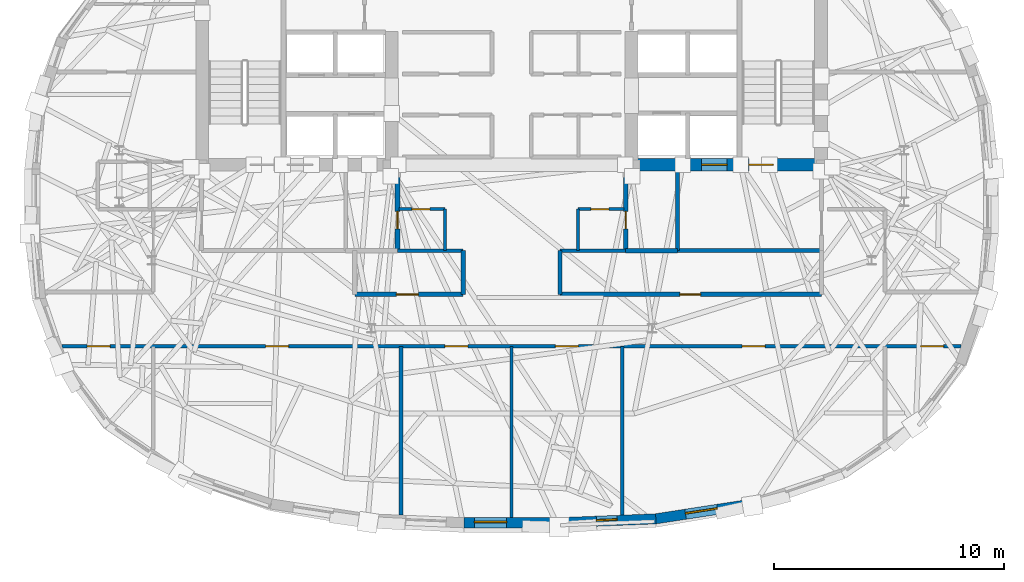
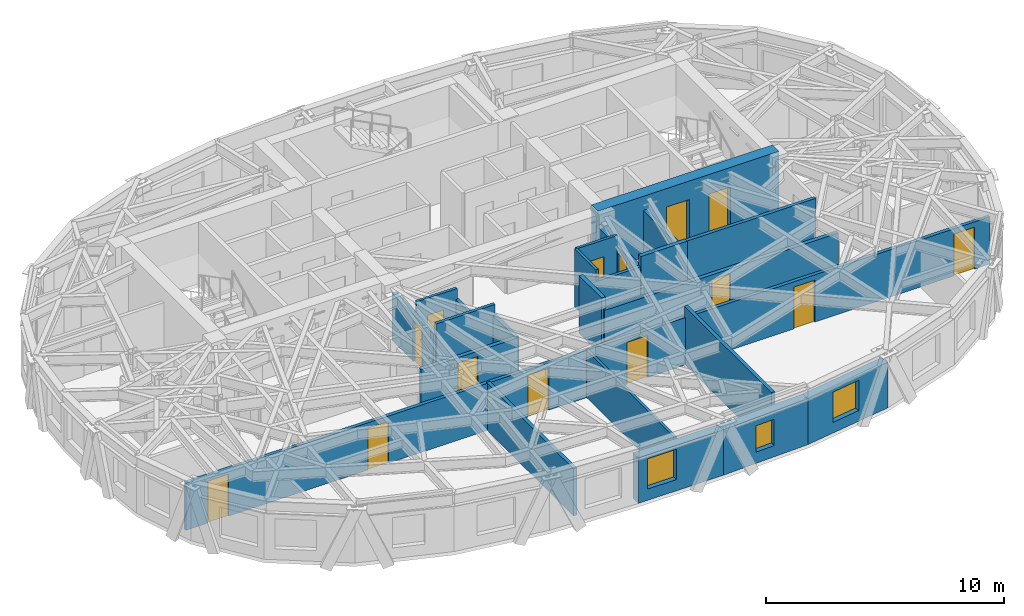
# One storey, part 6 of 12: 23 walls, 14 doors, 3 windows, 17 openings.
"""IFC4 building model written with IfcOpenShell, lengths in metres."""

from ifc_helpers import new_model, si_unit, direction, frame, frame_2d, origin, place, context, subcontext, project, spatial, rectangle, extrude, material, layer, layer_set, type_object, element, fill, save


model = new_model("IFC4")

# Units and contexts
model_context = context("Model", 3, precision=1e-05, world=origin(), true_north=direction((0.0, 1.0)))
body_context = subcontext(model_context, "Body", "Model", "MODEL_VIEW")
ifc_project = project(units=[si_unit("LENGTHUNIT", "METRE"), si_unit("AREAUNIT", "SQUARE_METRE"), si_unit("VOLUMEUNIT", "CUBIC_METRE"), si_unit("PLANEANGLEUNIT", "RADIAN"), si_unit("MASSUNIT", "GRAM", prefix="KILO")], contexts=[model_context])

# Site, building, storey
site_placement = place(None, origin())
site = spatial("IfcSite", under=ifc_project, at=site_placement, CompositionType="ELEMENT")
building_placement = place(site_placement, origin())
building = spatial("IfcBuilding", under=site, at=building_placement, Name="Keldmark Tower", CompositionType="ELEMENT")
storey_placement = place(building_placement, frame((0.0, 0.0, 250.949951171875)))
storey = spatial("IfcBuildingStorey", under=building, at=storey_placement, Name="L71", CompositionType="ELEMENT", Elevation=250.949951171875)

# Wall, opening, door
ifc_material_1 = material(Name="Heavy Acoustic Plumbing Chase Gypsum Assembly", Category="gypsum")
ifc_layer_1 = layer(ifc_material_1, 0.18994140625)
ifc_layer_set_1 = layer_set([ifc_layer_1], Name="Heavy Acoustic Plumbing Chase Gypsum Assembly")
wall_type_1 = type_object("IfcWallType", Name="Heavy Wet Wall 190 mm", PredefinedType="PLUMBINGWALL", material=ifc_layer_set_1)
wall_1_placement = place(storey_placement, frame((-6.800048828125, -4.050048828125, 0.0), z_axis=(0.0, 0.0, 1.0), x_axis=(1.0, 0.0, 0.0)))
wall_1 = element("IfcWall", 1, at=wall_1_placement, inside=storey, type_object=wall_type_1, Name="L71 Heavy Wet Wall 190 mm SPK-W-S", PredefinedType="PLUMBINGWALL", context=body_context, shape_type="SweptSolid", body=[
    extrude(rectangle(XDim=4.699951171875, YDim=0.18994140625, at=frame_2d((2.35009765625, 0.0))), origin(), (0.0, 0.0, 1.0), 2.423095703125),
])
opening_1_placement = place(wall_1_placement, frame((1.800048828125, 0.0, 0.0)))
opening_1 = element("IfcOpeningElement", 2, at=opening_1_placement, cuts=wall_1, Name="Opening D-AWC95", PredefinedType="OPENING", context=body_context, shape_type="SweptSolid", body=[
    extrude(rectangle(XDim=0.949951171875, YDim=2.14990234375, at=frame_2d((0.47509765625, 1.074951171875))), frame((0.0, 0.10498046875, 0.0), z_axis=(0.0, -1.0, 0.0), x_axis=(1.0, 0.0, 0.0)), (0.0, 0.0, 1.0), 0.2099609375),
])
ifc_material_2 = material(Name="Painted Solid-Core Architectural Wood", Category="wood")
door_type_1 = type_object("IfcDoorType", Name="Accessible WC Door 950x2150", OperationType="NOTDEFINED", PredefinedType="DOOR", material=ifc_material_2)
door_1_placement = place(opening_1_placement, origin())
door_1 = element("IfcDoor", 3, at=door_1_placement, inside=storey, type_object=door_type_1, Name="L71 Accessible WC Door 950x2150 D-SPKW1-L71", OperationType="SINGLE_SWING_LEFT", OverallHeight=2.14990234375, OverallWidth=0.949951171875, PredefinedType="DOOR", context=body_context, shape_type="SweptSolid", body=[
    extrude(rectangle(XDim=0.949951171875, YDim=2.14990234375, at=frame_2d((0.47509765625, 1.074951171875))), frame((0.0, 0.02490234375, 0.0), z_axis=(0.0, -1.0, 0.0), x_axis=(1.0, 0.0, 0.0)), (0.0, 0.0, 1.0), 0.050048828125),
])
fill(opening_1, door_1)

# Wall
wall_2_placement = place(storey_placement, frame((-2.10009765625, -4.050048828125, 0.0), z_axis=(0.0, 0.0, 1.0), x_axis=(0.0, 1.0, 0.0)))
element("IfcWall", 4, at=wall_2_placement, inside=storey, type_object=wall_type_1, Name="L71 Heavy Wet Wall 190 mm SPK-W-E", PredefinedType="PLUMBINGWALL", context=body_context, shape_type="SweptSolid", body=[
    extrude(rectangle(XDim=1.900146484375, YDim=0.18994140625, at=frame_2d((0.9501953125, 0.0))), origin(), (0.0, 0.0, 1.0), 2.423095703125),
])

# Wall, opening, door
wall_3_placement = place(storey_placement, frame((2.10009765625, -4.050048828125, 0.0), z_axis=(0.0, 0.0, 1.0), x_axis=(1.0, 0.0, 0.0)))
wall_3 = element("IfcWall", 5, at=wall_3_placement, inside=storey, type_object=wall_type_1, Name="L71 Heavy Wet Wall 190 mm SPK-E-S", PredefinedType="PLUMBINGWALL", context=body_context, shape_type="SweptSolid", body=[
    extrude(rectangle(XDim=11.349853515625, YDim=0.18994140625, at=frame_2d((5.6748046875, 0.0))), origin(), (0.0, 0.0, 1.0), 2.35693359375),
])
opening_2_placement = place(wall_3_placement, frame((5.199951171875, 0.0, 0.0)))
opening_2 = element("IfcOpeningElement", 6, at=opening_2_placement, cuts=wall_3, Name="Opening D-IN090", PredefinedType="OPENING", context=body_context, shape_type="SweptSolid", body=[
    extrude(rectangle(XDim=0.89990234375, YDim=2.10009765625, at=frame_2d((0.449951171875, 1.050048828125))), frame((0.0, 0.10498046875, 0.0), z_axis=(0.0, -1.0, 0.0), x_axis=(1.0, 0.0, 0.0)), (0.0, 0.0, 1.0), 0.2099609375),
])
ifc_material_3 = material(Name="Stained American White Oak Veneer", Category="wood")
door_type_2 = type_object("IfcDoorType", Name="Interior Door 900x2100", OperationType="NOTDEFINED", PredefinedType="DOOR", material=ifc_material_3)
door_2_placement = place(opening_2_placement, origin())
door_2 = element("IfcDoor", 7, at=door_2_placement, inside=storey, type_object=door_type_2, Name="L71 Interior Door 900x2100 D-SPKE1-L71", OperationType="SINGLE_SWING_RIGHT", OverallHeight=2.10009765625, OverallWidth=0.89990234375, PredefinedType="DOOR", context=body_context, shape_type="SweptSolid", body=[
    extrude(rectangle(XDim=0.89990234375, YDim=2.10009765625, at=frame_2d((0.449951171875, 1.050048828125))), frame((0.0, 0.02490234375, 0.0), z_axis=(0.0, -1.0, 0.0), x_axis=(1.0, 0.0, 0.0)), (0.0, 0.0, 1.0), 0.050048828125),
])
fill(opening_2, door_2)

# Wall
wall_4_placement = place(storey_placement, frame((2.10009765625, -4.050048828125, 0.0), z_axis=(0.0, 0.0, 1.0), x_axis=(0.0, 1.0, 0.0)))
element("IfcWall", 8, at=wall_4_placement, inside=storey, type_object=wall_type_1, Name="L71 Heavy Wet Wall 190 mm SPK-E-W", PredefinedType="PLUMBINGWALL", context=body_context, shape_type="SweptSolid", body=[
    extrude(rectangle(XDim=1.900146484375, YDim=0.18994140625, at=frame_2d((0.9501953125, 0.0))), origin(), (0.0, 0.0, 1.0), 2.969970703125),
])

# Wall, openings, doors
ifc_material_4 = material(Name="Concrete C50/60", Category="concrete")
ifc_layer_2 = layer(ifc_material_4, 0.550048828125)
ifc_layer_set_2 = layer_set([ifc_layer_2], Name="Concrete C50/60")
wall_type_2 = type_object("IfcWallType", Name="High-Rise Core Shear Wall 550 mm", PredefinedType="SHEAR", material=ifc_layer_set_2)
wall_5_placement = place(storey_placement, frame((13.699951171875, 1.574951171875, 0.0), z_axis=(0.0, 0.0, 1.0), x_axis=(-1.0, 0.0, 0.0)))
wall_5 = element("IfcWall", 9, at=wall_5_placement, inside=storey, type_object=wall_type_2, Name="L71 East Core South Shear Wall", PredefinedType="SHEAR", context=body_context, shape_type="SweptSolid", body=[
    extrude(rectangle(XDim=8.77490234375, YDim=0.550048828125, at=frame_2d((4.387451171875, 0.0))), origin(), (0.0, 0.0, 1.0), 3.150146484375),
])
opening_3_placement = place(wall_5_placement, frame((2.35009765625, 0.0, 0.0)))
opening_3 = element("IfcOpeningElement", 10, at=opening_3_placement, cuts=wall_5, Name="Opening D-ST105", PredefinedType="OPENING", context=body_context, shape_type="SweptSolid", body=[
    extrude(rectangle(XDim=1.050048828125, YDim=2.14990234375, at=frame_2d((0.52490234375, 1.074951171875))), frame((0.0, 0.284912109375, 0.0), z_axis=(0.0, -1.0, 0.0), x_axis=(1.0, 0.0, 0.0)), (0.0, 0.0, 1.0), 0.570068359375),
])
opening_4_placement = place(wall_5_placement, frame((4.35009765625, 0.0, 0.0)))
opening_4 = element("IfcOpeningElement", 11, at=opening_4_placement, cuts=wall_5, Name="Opening LD-110", PredefinedType="OPENING", context=body_context, shape_type="SweptSolid", body=[
    extrude(rectangle(XDim=1.10009765625, YDim=2.199951171875, at=frame_2d((0.550048828125, 1.10009765625))), frame((0.0, 0.284912109375, 0.0), z_axis=(0.0, -1.0, 0.0), x_axis=(1.0, 0.0, 0.0)), (0.0, 0.0, 1.0), 0.570068359375),
])
ifc_material_5 = material(Name="Brushed Bronze Hoistway Sliding Leaf", Category="metal")
door_type_3 = type_object("IfcDoorType", Name="Lift Landing Sliding Door 1100x2200", OperationType="SLIDING_TO_LEFT", PredefinedType="DOOR", material=ifc_material_5)
door_3_placement = place(opening_4_placement, origin())
door_3 = element("IfcDoor", 12, at=door_3_placement, inside=storey, type_object=door_type_3, Name="L71 Lift Landing Sliding Door 1100x2200 LD-EL-FS2-L71", OperationType="SLIDING_TO_LEFT", OverallHeight=2.199951171875, OverallWidth=1.10009765625, PredefinedType="DOOR", context=body_context, shape_type="SweptSolid", body=[
    extrude(rectangle(XDim=1.10009765625, YDim=2.199951171875, at=frame_2d((0.550048828125, 1.10009765625))), frame((0.0, 0.02490234375, 0.0), z_axis=(0.0, -1.0, 0.0), x_axis=(1.0, 0.0, 0.0)), (0.0, 0.0, 1.0), 0.050048828125),
])
fill(opening_4, door_3)
ifc_material_6 = material(Name="Hollow Metal Fire-Rated Door Assembly", Category="metal")
door_type_4 = type_object("IfcDoorType", Name="Stair Fire Door 1050x2150", OperationType="NOTDEFINED", PredefinedType="DOOR", material=ifc_material_6)
door_4_placement = place(opening_3_placement, origin())
door_4 = element("IfcDoor", 13, at=door_4_placement, inside=storey, type_object=door_type_4, Name="L71 Stair Fire Door 1050x2150 D-ST2-L71", OperationType="SINGLE_SWING_LEFT", OverallHeight=2.14990234375, OverallWidth=1.050048828125, PredefinedType="DOOR", context=body_context, shape_type="SweptSolid", body=[
    extrude(rectangle(XDim=1.050048828125, YDim=2.14990234375, at=frame_2d((0.52490234375, 1.074951171875))), frame((0.0, 0.02490234375, 0.0), z_axis=(0.0, -1.0, 0.0), x_axis=(1.0, 0.0, 0.0)), (0.0, 0.0, 1.0), 0.050048828125),
])
fill(opening_3, door_4)

# Wall, opening, door
ifc_material_7 = material(Name="Acoustic Gypsum Board Interior Partition", Category="gypsum")
ifc_layer_3 = layer(ifc_material_7, 0.1298828125)
ifc_layer_set_3 = layer_set([ifc_layer_3], Name="Acoustic Gypsum Board Interior Partition")
wall_type_3 = type_object("IfcWallType", Name="Interior Partition 130 mm", PredefinedType="PARTITIONING", material=ifc_layer_set_3)
wall_6_placement = place(storey_placement, frame((-4.8798828125, -0.35009765625, 0.0), z_axis=(0.0, 0.0, 1.0), x_axis=(1.0, 0.0, 0.0)))
wall_6 = element("IfcWall", 14, at=wall_6_placement, inside=storey, type_object=wall_type_3, Name="L71 Interior Partition 130 mm CSC-W-N", PredefinedType="PARTITIONING", context=body_context, shape_type="SweptSolid", body=[
    extrude(rectangle(XDim=1.989990234375, YDim=0.1298828125, at=frame_2d((0.9951171875, 0.0))), origin(), (0.0, 0.0, 1.0), 2.969970703125),
])
opening_5_placement = place(wall_6_placement, frame((0.550048828125, 0.0, 0.0)))
opening_5 = element("IfcOpeningElement", 15, at=opening_5_placement, cuts=wall_6, Name="Opening D-CL078", PredefinedType="OPENING", context=body_context, shape_type="SweptSolid", body=[
    extrude(rectangle(XDim=0.780029296875, YDim=2.10009765625, at=frame_2d((0.39013671875, 1.050048828125))), frame((0.0, 0.074951171875, 0.0), z_axis=(0.0, -1.0, 0.0), x_axis=(1.0, 0.0, 0.0)), (0.0, 0.0, 1.0), 0.14990234375),
])
ifc_material_8 = material(Name="Flush Utility Closet Timber Door", Category="wood")
door_type_5 = type_object("IfcDoorType", Name="Closet Door 780x2100", OperationType="NOTDEFINED", PredefinedType="DOOR", material=ifc_material_8)
door_5_placement = place(opening_5_placement, origin())
door_5 = element("IfcDoor", 16, at=door_5_placement, inside=storey, type_object=door_type_5, Name="L71 Closet Door 780x2100 D-CSCW1-L71", OperationType="SINGLE_SWING_LEFT", OverallHeight=2.10009765625, OverallWidth=0.780029296875, PredefinedType="DOOR", context=body_context, shape_type="SweptSolid", body=[
    extrude(rectangle(XDim=0.780029296875, YDim=2.10009765625, at=frame_2d((0.39013671875, 1.050048828125))), frame((0.0, 0.02490234375, 0.0), z_axis=(0.0, -1.0, 0.0), x_axis=(1.0, 0.0, 0.0)), (0.0, 0.0, 1.0), 0.050048828125),
])
fill(opening_5, door_5)

# Wall
wall_7_placement = place(storey_placement, frame((-2.889892578125, -2.14990234375, 0.0), z_axis=(0.0, 0.0, 1.0), x_axis=(0.0, 1.0, 0.0)))
element("IfcWall", 17, at=wall_7_placement, inside=storey, type_object=wall_type_3, Name="L71 Interior Partition 130 mm CSC-W-E", PredefinedType="PARTITIONING", context=body_context, shape_type="SweptSolid", body=[
    extrude(rectangle(XDim=1.7998046875, YDim=0.1298828125, at=frame_2d((0.89990234375, 0.0))), origin(), (0.0, 0.0, 1.0), 2.423095703125),
])

# Wall, opening, door
wall_8_placement = place(storey_placement, frame((2.889892578125, -0.35009765625, 0.0), z_axis=(0.0, 0.0, 1.0), x_axis=(1.0, 0.0, 0.0)))
wall_8 = element("IfcWall", 18, at=wall_8_placement, inside=storey, type_object=wall_type_3, Name="L71 Interior Partition 130 mm CSC-E-N", PredefinedType="PARTITIONING", context=body_context, shape_type="SweptSolid", body=[
    extrude(rectangle(XDim=1.989990234375, YDim=0.1298828125, at=frame_2d((0.9951171875, 0.0))), origin(), (0.0, 0.0, 1.0), 2.969970703125),
])
opening_6_placement = place(wall_8_placement, frame((0.550048828125, 0.0, 0.0)))
opening_6 = element("IfcOpeningElement", 19, at=opening_6_placement, cuts=wall_8, Name="Opening D-CL078", PredefinedType="OPENING", context=body_context, shape_type="SweptSolid", body=[
    extrude(rectangle(XDim=0.780029296875, YDim=2.10009765625, at=frame_2d((0.39013671875, 1.050048828125))), frame((0.0, 0.074951171875, 0.0), z_axis=(0.0, -1.0, 0.0), x_axis=(1.0, 0.0, 0.0)), (0.0, 0.0, 1.0), 0.14990234375),
])
door_6_placement = place(opening_6_placement, origin())
door_6 = element("IfcDoor", 20, at=door_6_placement, inside=storey, type_object=door_type_5, Name="L71 Closet Door 780x2100 D-CSCE1-L71", OperationType="SINGLE_SWING_RIGHT", OverallHeight=2.10009765625, OverallWidth=0.780029296875, PredefinedType="DOOR", context=body_context, shape_type="SweptSolid", body=[
    extrude(rectangle(XDim=0.780029296875, YDim=2.10009765625, at=frame_2d((0.39013671875, 1.050048828125))), frame((0.0, 0.02490234375, 0.0), z_axis=(0.0, -1.0, 0.0), x_axis=(1.0, 0.0, 0.0)), (0.0, 0.0, 1.0), 0.050048828125),
])
fill(opening_6, door_6)

# Walls
wall_9_placement = place(storey_placement, frame((2.889892578125, -2.14990234375, 0.0), z_axis=(0.0, 0.0, 1.0), x_axis=(0.0, 1.0, 0.0)))
element("IfcWall", 21, at=wall_9_placement, inside=storey, type_object=wall_type_3, Name="L71 Interior Partition 130 mm CSC-E-W", PredefinedType="PARTITIONING", context=body_context, shape_type="SweptSolid", body=[
    extrude(rectangle(XDim=1.7998046875, YDim=0.1298828125, at=frame_2d((0.89990234375, 0.0))), origin(), (0.0, 0.0, 1.0), 2.969970703125),
])
wall_10_placement = place(storey_placement, frame((0.0, -13.72900390625, 0.0), z_axis=(0.0, 0.0, 1.0), x_axis=(0.0, 1.0, 0.0)))
element("IfcWall", 22, at=wall_10_placement, inside=storey, type_object=wall_type_3, Name="L71 Interior Partition 130 mm RS-T4-M", PredefinedType="PARTITIONING", context=body_context, shape_type="SweptSolid", body=[
    extrude(rectangle(XDim=7.428955078125, YDim=0.1298828125, at=frame_2d((3.71435546875, 0.0))), origin(), (0.0, 0.0, 1.0), 2.423095703125),
])
ifc_material_9 = material(Name="Type X Fire-Rated Gypsum Partition Assembly", Category="gypsum")
ifc_layer_4 = layer(ifc_material_9, 0.1650390625)
ifc_layer_set_4 = layer_set([ifc_layer_4], Name="Type X Fire-Rated Gypsum Partition Assembly")
wall_type_4 = type_object("IfcWallType", Name="Rated Partition 165 mm", PredefinedType="PARTITIONING", material=ifc_layer_set_4)
wall_11_placement = place(storey_placement, frame((7.199951171875, -2.14990234375, 0.0), z_axis=(0.0, 0.0, 1.0), x_axis=(1.0, 0.0, 0.0)))
element("IfcWall", 23, at=wall_11_placement, inside=storey, type_object=wall_type_4, Name="L71 Rated Partition 165 mm FSAE-E-S", PredefinedType="PARTITIONING", context=body_context, shape_type="SweptSolid", body=[
    extrude(rectangle(XDim=6.25, YDim=0.1650390625, at=frame_2d((3.125, 0.0))), origin(), (0.0, 0.0, 1.0), 2.969970703125),
])
wall_12_placement = place(storey_placement, frame((7.199951171875, -2.14990234375, 0.0), z_axis=(0.0, 0.0, 1.0), x_axis=(0.0, 1.0, 0.0)))
element("IfcWall", 24, at=wall_12_placement, inside=storey, type_object=wall_type_4, Name="L71 Rated Partition 165 mm FSAE-E-W", PredefinedType="PARTITIONING", context=body_context, shape_type="SweptSolid", body=[
    extrude(rectangle(XDim=3.5, YDim=0.1650390625, at=frame_2d((1.75, 0.0))), origin(), (0.0, 0.0, 1.0), 2.423095703125),
])

# Wall, openings, doors
wall_13_placement = place(storey_placement, frame((-19.501220703125, -6.300048828125, 0.0), z_axis=(0.0, 0.0, 1.0), x_axis=(1.0, 0.0, 0.0)))
wall_13 = element("IfcWall", 25, at=wall_13_placement, inside=storey, type_object=wall_type_4, Name="L71 Rated Partition 165 mm RCOR-S", PredefinedType="PARTITIONING", context=body_context, shape_type="SweptSolid", body=[
    extrude(rectangle(XDim=39.00244140625, YDim=0.1650390625, at=frame_2d((19.501220703125, 0.0))), origin(), (0.0, 0.0, 1.0), 2.423095703125),
])
opening_7_placement = place(wall_13_placement, frame((1.077392578125, 0.0, 0.0)))
opening_7 = element("IfcOpeningElement", 26, at=opening_7_placement, cuts=wall_13, Name="Opening D-FD100", PredefinedType="OPENING", context=body_context, shape_type="SweptSolid", body=[
    extrude(rectangle(XDim=1.0, YDim=2.14990234375, at=frame_2d((0.5, 1.074951171875))), frame((0.0, 0.092529296875, 0.0), z_axis=(0.0, -1.0, 0.0), x_axis=(1.0, 0.0, 0.0)), (0.0, 0.0, 1.0), 0.18505859375),
])
opening_8_placement = place(wall_13_placement, frame((37.250244140625, 0.0, 0.0)))
opening_8 = element("IfcOpeningElement", 27, at=opening_8_placement, cuts=wall_13, Name="Opening D-FD100", PredefinedType="OPENING", context=body_context, shape_type="SweptSolid", body=[
    extrude(rectangle(XDim=1.0, YDim=2.14990234375, at=frame_2d((0.5, 1.074951171875))), frame((0.0, 0.092529296875, 0.0), z_axis=(0.0, -1.0, 0.0), x_axis=(1.0, 0.0, 0.0)), (0.0, 0.0, 1.0), 0.18505859375),
])
opening_9_placement = place(wall_13_placement, frame((16.601318359375, 0.0, 0.0)))
opening_9 = element("IfcOpeningElement", 28, at=opening_9_placement, cuts=wall_13, Name="Opening D-FD100", PredefinedType="OPENING", context=body_context, shape_type="SweptSolid", body=[
    extrude(rectangle(XDim=1.0, YDim=2.14990234375, at=frame_2d((0.5, 1.074951171875))), frame((0.0, 0.092529296875, 0.0), z_axis=(0.0, -1.0, 0.0), x_axis=(1.0, 0.0, 0.0)), (0.0, 0.0, 1.0), 0.18505859375),
])
opening_10_placement = place(wall_13_placement, frame((21.4013671875, 0.0, 0.0)))
opening_10 = element("IfcOpeningElement", 29, at=opening_10_placement, cuts=wall_13, Name="Opening D-FD100", PredefinedType="OPENING", context=body_context, shape_type="SweptSolid", body=[
    extrude(rectangle(XDim=1.0, YDim=2.14990234375, at=frame_2d((0.5, 1.074951171875))), frame((0.0, 0.092529296875, 0.0), z_axis=(0.0, -1.0, 0.0), x_axis=(1.0, 0.0, 0.0)), (0.0, 0.0, 1.0), 0.18505859375),
])
opening_11_placement = place(wall_13_placement, frame((8.826416015625, 0.0, 0.0)))
opening_11 = element("IfcOpeningElement", 30, at=opening_11_placement, cuts=wall_13, Name="Opening D-FD100", PredefinedType="OPENING", context=body_context, shape_type="SweptSolid", body=[
    extrude(rectangle(XDim=1.0, YDim=2.14990234375, at=frame_2d((0.5, 1.074951171875))), frame((0.0, 0.092529296875, 0.0), z_axis=(0.0, -1.0, 0.0), x_axis=(1.0, 0.0, 0.0)), (0.0, 0.0, 1.0), 0.18505859375),
])
opening_12_placement = place(wall_13_placement, frame((29.501220703125, 0.0, 0.0)))
opening_12 = element("IfcOpeningElement", 31, at=opening_12_placement, cuts=wall_13, Name="Opening D-FD100", PredefinedType="OPENING", context=body_context, shape_type="SweptSolid", body=[
    extrude(rectangle(XDim=1.0, YDim=2.14990234375, at=frame_2d((0.5, 1.074951171875))), frame((0.0, 0.092529296875, 0.0), z_axis=(0.0, -1.0, 0.0), x_axis=(1.0, 0.0, 0.0)), (0.0, 0.0, 1.0), 0.18505859375),
])
ifc_material_10 = material(Name="Hollow Metal Fire-Rated Corridor Door", Category="metal")
door_type_6 = type_object("IfcDoorType", Name="Fire Door 1000x2150", OperationType="NOTDEFINED", PredefinedType="DOOR", material=ifc_material_10)
door_7_placement = place(opening_7_placement, origin())
door_7 = element("IfcDoor", 32, at=door_7_placement, inside=storey, type_object=door_type_6, Name="L71 Fire Door 1000x2150 D-RSCW-L71", OperationType="SINGLE_SWING_LEFT", OverallHeight=2.14990234375, OverallWidth=1.0, PredefinedType="DOOR", context=body_context, shape_type="SweptSolid", body=[
    extrude(rectangle(XDim=1.0, YDim=2.14990234375, at=frame_2d((0.5, 1.074951171875))), frame((0.0, 0.02490234375, 0.0), z_axis=(0.0, -1.0, 0.0), x_axis=(1.0, 0.0, 0.0)), (0.0, 0.0, 1.0), 0.050048828125),
])
fill(opening_7, door_7)
door_8_placement = place(opening_8_placement, origin())
door_8 = element("IfcDoor", 33, at=door_8_placement, inside=storey, type_object=door_type_6, Name="L71 Fire Door 1000x2150 D-RSCE-L71", OperationType="SINGLE_SWING_LEFT", OverallHeight=2.14990234375, OverallWidth=1.0, PredefinedType="DOOR", context=body_context, shape_type="SweptSolid", body=[
    extrude(rectangle(XDim=1.0, YDim=2.14990234375, at=frame_2d((0.5, 1.074951171875))), frame((0.0, 0.02490234375, 0.0), z_axis=(0.0, -1.0, 0.0), x_axis=(1.0, 0.0, 0.0)), (0.0, 0.0, 1.0), 0.050048828125),
])
fill(opening_8, door_8)
door_9_placement = place(opening_9_placement, origin())
door_9 = element("IfcDoor", 34, at=door_9_placement, inside=storey, type_object=door_type_6, Name="L71 Fire Door 1000x2150 D-RST4-1-L71", OperationType="SINGLE_SWING_RIGHT", OverallHeight=2.14990234375, OverallWidth=1.0, PredefinedType="DOOR", context=body_context, shape_type="SweptSolid", body=[
    extrude(rectangle(XDim=1.0, YDim=2.14990234375, at=frame_2d((0.5, 1.074951171875))), frame((0.0, 0.02490234375, 0.0), z_axis=(0.0, -1.0, 0.0), x_axis=(1.0, 0.0, 0.0)), (0.0, 0.0, 1.0), 0.050048828125),
])
fill(opening_9, door_9)
door_10_placement = place(opening_10_placement, origin())
door_10 = element("IfcDoor", 35, at=door_10_placement, inside=storey, type_object=door_type_6, Name="L71 Fire Door 1000x2150 D-RST4-2-L71", OperationType="SINGLE_SWING_RIGHT", OverallHeight=2.14990234375, OverallWidth=1.0, PredefinedType="DOOR", context=body_context, shape_type="SweptSolid", body=[
    extrude(rectangle(XDim=1.0, YDim=2.14990234375, at=frame_2d((0.5, 1.074951171875))), frame((0.0, 0.02490234375, 0.0), z_axis=(0.0, -1.0, 0.0), x_axis=(1.0, 0.0, 0.0)), (0.0, 0.0, 1.0), 0.050048828125),
])
fill(opening_10, door_10)
door_11_placement = place(opening_11_placement, origin())
door_11 = element("IfcDoor", 36, at=door_11_placement, inside=storey, type_object=door_type_6, Name="L71 Fire Door 1000x2150 D-RST4-OW-L71", OperationType="SINGLE_SWING_LEFT", OverallHeight=2.14990234375, OverallWidth=1.0, PredefinedType="DOOR", context=body_context, shape_type="SweptSolid", body=[
    extrude(rectangle(XDim=1.0, YDim=2.14990234375, at=frame_2d((0.5, 1.074951171875))), frame((0.0, 0.02490234375, 0.0), z_axis=(0.0, -1.0, 0.0), x_axis=(1.0, 0.0, 0.0)), (0.0, 0.0, 1.0), 0.050048828125),
])
fill(opening_11, door_11)
door_12_placement = place(opening_12_placement, origin())
door_12 = element("IfcDoor", 37, at=door_12_placement, inside=storey, type_object=door_type_6, Name="L71 Fire Door 1000x2150 D-RST4-OE-L71", OperationType="SINGLE_SWING_RIGHT", OverallHeight=2.14990234375, OverallWidth=1.0, PredefinedType="DOOR", context=body_context, shape_type="SweptSolid", body=[
    extrude(rectangle(XDim=1.0, YDim=2.14990234375, at=frame_2d((0.5, 1.074951171875))), frame((0.0, 0.02490234375, 0.0), z_axis=(0.0, -1.0, 0.0), x_axis=(1.0, 0.0, 0.0)), (0.0, 0.0, 1.0), 0.050048828125),
])
fill(opening_12, door_12)

# Walls
wall_14_placement = place(storey_placement, frame((-4.800048828125, -13.61865234375, 0.0), z_axis=(0.0, 0.0, 1.0), x_axis=(0.0, 1.0, 0.0)))
element("IfcWall", 38, at=wall_14_placement, inside=storey, type_object=wall_type_4, Name="L71 Rated Partition 165 mm RS-T4-W", PredefinedType="PARTITIONING", context=body_context, shape_type="SweptSolid", body=[
    extrude(rectangle(XDim=7.318603515625, YDim=0.1650390625, at=frame_2d((3.6591796875, 0.0))), origin(), (0.0, 0.0, 1.0), 2.423095703125),
])
wall_15_placement = place(storey_placement, frame((4.800048828125, -13.61865234375, 0.0), z_axis=(0.0, 0.0, 1.0), x_axis=(0.0, 1.0, 0.0)))
element("IfcWall", 39, at=wall_15_placement, inside=storey, type_object=wall_type_4, Name="L71 Rated Partition 165 mm RS-T4-E", PredefinedType="PARTITIONING", context=body_context, shape_type="SweptSolid", body=[
    extrude(rectangle(XDim=7.318603515625, YDim=0.1650390625, at=frame_2d((3.6591796875, 0.0))), origin(), (0.0, 0.0, 1.0), 2.969970703125),
])

# Wall, opening, door
ifc_material_11 = material(Name="Fire-Resistant Type X Gypsum Shaftliner Coreboard", Category="gypsum")
ifc_layer_5 = layer(ifc_material_11, 0.199951171875)
ifc_layer_set_5 = layer_set([ifc_layer_5], Name="Fire-Resistant Type X Gypsum Shaftliner Coreboard")
wall_type_5 = type_object("IfcWallType", Name="Shaft Wall 200 mm", PredefinedType="SOLIDWALL", material=ifc_layer_set_5)
wall_16_placement = place(storey_placement, frame((-4.949951171875, -2.14990234375, 0.0), z_axis=(0.0, 0.0, 1.0), x_axis=(0.0, 1.0, 0.0)))
wall_16 = element("IfcWall", 40, at=wall_16_placement, inside=storey, type_object=wall_type_5, Name="L71 Shaft Wall 200 mm RIS-SW-E", PredefinedType="SOLIDWALL", context=body_context, shape_type="SweptSolid", body=[
    extrude(rectangle(XDim=3.5, YDim=0.199951171875, at=frame_2d((1.75, 0.0))), origin(), (0.0, 0.0, 1.0), 2.423095703125),
])
opening_13_placement = place(wall_16_placement, frame((0.949951171875, 0.0, 0.0)))
opening_13 = element("IfcOpeningElement", 41, at=opening_13_placement, cuts=wall_16, Name="Opening D-RS075", PredefinedType="OPENING", context=body_context, shape_type="SweptSolid", body=[
    extrude(rectangle(XDim=0.75, YDim=2.10009765625, at=frame_2d((0.375, 1.050048828125))), frame((0.0, 0.10986328125, 0.0), z_axis=(0.0, -1.0, 0.0), x_axis=(1.0, 0.0, 0.0)), (0.0, 0.0, 1.0), 0.219970703125),
])
ifc_material_12 = material(Name="Galvanized Fire-Rated Access Leaf", Category="metal")
door_type_7 = type_object("IfcDoorType", Name="Riser Access Door 750x2100", OperationType="NOTDEFINED", PredefinedType="DOOR", material=ifc_material_12)
door_13_placement = place(opening_13_placement, origin())
door_13 = element("IfcDoor", 42, at=door_13_placement, inside=storey, type_object=door_type_7, Name="L71 Riser Access Door 750x2100 D-RISSW-L71", OperationType="SINGLE_SWING_RIGHT", OverallHeight=2.10009765625, OverallWidth=0.75, PredefinedType="DOOR", context=body_context, shape_type="SweptSolid", body=[
    extrude(rectangle(XDim=0.75, YDim=2.10009765625, at=frame_2d((0.375, 1.050048828125))), frame((0.0, 0.02490234375, 0.0), z_axis=(0.0, -1.0, 0.0), x_axis=(1.0, 0.0, 0.0)), (0.0, 0.0, 1.0), 0.050048828125),
])
fill(opening_13, door_13)

# Wall
wall_17_placement = place(storey_placement, frame((4.949951171875, -2.14990234375, 0.0), z_axis=(0.0, 0.0, 1.0), x_axis=(1.0, 0.0, 0.0)))
element("IfcWall", 43, at=wall_17_placement, inside=storey, type_object=wall_type_5, Name="L71 Shaft Wall 200 mm RIS-SE-S", PredefinedType="SOLIDWALL", context=body_context, shape_type="SweptSolid", body=[
    extrude(rectangle(XDim=2.25, YDim=0.199951171875, at=frame_2d((1.125, 0.0))), origin(), (0.0, 0.0, 1.0), 2.969970703125),
])

# Wall, opening, door
wall_18_placement = place(storey_placement, frame((4.949951171875, -2.14990234375, 0.0), z_axis=(0.0, 0.0, 1.0), x_axis=(0.0, 1.0, 0.0)))
wall_18 = element("IfcWall", 44, at=wall_18_placement, inside=storey, type_object=wall_type_5, Name="L71 Shaft Wall 200 mm RIS-SE-W", PredefinedType="SOLIDWALL", context=body_context, shape_type="SweptSolid", body=[
    extrude(rectangle(XDim=3.5, YDim=0.199951171875, at=frame_2d((1.75, 0.0))), origin(), (0.0, 0.0, 1.0), 2.423095703125),
])
opening_14_placement = place(wall_18_placement, frame((0.949951171875, 0.0, 0.0)))
opening_14 = element("IfcOpeningElement", 45, at=opening_14_placement, cuts=wall_18, Name="Opening D-RS075", PredefinedType="OPENING", context=body_context, shape_type="SweptSolid", body=[
    extrude(rectangle(XDim=0.75, YDim=2.10009765625, at=frame_2d((0.375, 1.050048828125))), frame((0.0, 0.10986328125, 0.0), z_axis=(0.0, -1.0, 0.0), x_axis=(1.0, 0.0, 0.0)), (0.0, 0.0, 1.0), 0.219970703125),
])
door_14_placement = place(opening_14_placement, origin())
door_14 = element("IfcDoor", 46, at=door_14_placement, inside=storey, type_object=door_type_7, Name="L71 Riser Access Door 750x2100 D-RISSE-L71", OperationType="SINGLE_SWING_LEFT", OverallHeight=2.10009765625, OverallWidth=0.75, PredefinedType="DOOR", context=body_context, shape_type="SweptSolid", body=[
    extrude(rectangle(XDim=0.75, YDim=2.10009765625, at=frame_2d((0.375, 1.050048828125))), frame((0.0, 0.02490234375, 0.0), z_axis=(0.0, -1.0, 0.0), x_axis=(1.0, 0.0, 0.0)), (0.0, 0.0, 1.0), 0.050048828125),
])
fill(opening_14, door_14)

# Wall, opening, window
ifc_material_13 = material(Name="Ironspot Manganese Brick and Kasota Buff Limestone Spandrel Assembly", Category="masonry")
ifc_layer_6 = layer(ifc_material_13, 0.43994140625)
ifc_layer_set_6 = layer_set([ifc_layer_6], Name="Ironspot Manganese Brick and Kasota Buff Limestone Spandrel Assembly")
wall_type_6 = type_object("IfcWallType", Name="Tower Brick Pier and Spandrel Wall 440 mm", PredefinedType="STANDARD", material=ifc_layer_set_6)
wall_19_placement = place(storey_placement, frame((2.059326171875, -13.95703125, 0.0), z_axis=(0.0, 0.0, 1.0), x_axis=(-1.0, 0.0, 0.0)))
wall_19 = element("IfcWall", 47, at=wall_19_placement, inside=storey, type_object=wall_type_6, Name="L71 Exterior Brick and Spandrel Wall 24", PredefinedType="STANDARD", context=body_context, shape_type="SweptSolid", body=[
    extrude(rectangle(XDim=4.11865234375, YDim=0.43994140625, at=frame_2d((2.059326171875, 0.0))), origin(), (0.0, 0.0, 1.0), 2.3359375),
])
opening_15_placement = place(wall_19_placement, frame((2.272216796875, 0.0, 0.580078125)))
opening_15 = element("IfcOpeningElement", 48, at=opening_15_placement, cuts=wall_19, Name="Opening W-08", PredefinedType="OPENING", context=body_context, shape_type="SweptSolid", body=[
    extrude(rectangle(XDim=1.39990234375, YDim=1.550048828125, at=frame_2d((0.699951171875, 0.77490234375))), frame((0.0, 0.22998046875, 0.0), z_axis=(0.0, -1.0, 0.0), x_axis=(1.0, 0.0, 0.0)), (0.0, 0.0, 1.0), 0.4599609375),
])
ifc_material_14 = material(Name="Thermally Broken Anodized Aluminum and Triple Low-E Argon Glazing", Category="aluminium")
window_type_1 = type_object("IfcWindowType", Name="Residential Corner Punched Window 1400x1550", PartitioningType="SINGLE_PANEL", PredefinedType="WINDOW", material=ifc_material_14)
window_1_placement = place(opening_15_placement, origin())
window_1 = element("IfcWindow", 49, at=window_1_placement, inside=storey, type_object=window_type_1, Name="L71 Deep-Set Window 24", OverallHeight=1.550048828125, OverallWidth=1.39990234375, PartitioningType="SINGLE_PANEL", PredefinedType="WINDOW", context=body_context, shape_type="SweptSolid", body=[
    extrude(rectangle(XDim=1.39990234375, YDim=1.550048828125, at=frame_2d((0.699951171875, 0.77490234375))), frame((0.0, -0.010009765625, 0.0), z_axis=(0.0, -1.0, 0.0), x_axis=(1.0, 0.0, 0.0)), (0.0, 0.0, 1.0), 0.06005859375),
])
fill(opening_15, window_1)

wall_20_placement = place(storey_placement, frame((6.258544921875, -13.788330078125, 0.0), z_axis=(0.0, 0.0, 1.0), x_axis=(-0.999195020948, -0.040116207618, 0.0)))
wall_20 = element("IfcWall", 50, at=wall_20_placement, inside=storey, type_object=wall_type_6, Name="L71 Exterior Brick and Spandrel Wall 25", PredefinedType="STANDARD", context=body_context, shape_type="SweptSolid", body=[
    extrude(rectangle(XDim=4.21142578125, YDim=0.43994140625, at=frame_2d((2.105712890625, 0.0))), origin(), (0.0, 0.0, 1.0), 2.3359375),
])
opening_16_placement = place(wall_20_placement, frame((1.680419921875, 0.0, 0.580078125)))
opening_16 = element("IfcOpeningElement", 51, at=opening_16_placement, cuts=wall_20, Name="Opening W-09", PredefinedType="OPENING", context=body_context, shape_type="SweptSolid", body=[
    extrude(rectangle(XDim=0.89990234375, YDim=1.35009765625, at=frame_2d((0.449951171875, 0.675048828125))), frame((0.0, 0.22998046875, 0.0), z_axis=(0.0, -1.0, 0.0), x_axis=(1.0, 0.0, 0.0)), (0.0, 0.0, 1.0), 0.4599609375),
])
ifc_material_15 = material(Name="Thermally Broken Anodized Aluminum and Triple Low-E Argon Glazing", Category="aluminium")
window_type_2 = type_object("IfcWindowType", Name="Corner Pier Deep-Set Window 900x1350", PartitioningType="SINGLE_PANEL", PredefinedType="WINDOW", material=ifc_material_15)
window_2_placement = place(opening_16_placement, origin())
window_2 = element("IfcWindow", 52, at=window_2_placement, inside=storey, type_object=window_type_2, Name="L71 Deep-Set Window 25", OverallHeight=1.35009765625, OverallWidth=0.89990234375, PartitioningType="SINGLE_PANEL", PredefinedType="WINDOW", context=body_context, shape_type="SweptSolid", body=[
    extrude(rectangle(XDim=0.89990234375, YDim=1.35009765625, at=frame_2d((0.449951171875, 0.675048828125))), frame((0.0, -0.010009765625, 0.0), z_axis=(0.0, -1.0, 0.0), x_axis=(1.0, 0.0, 0.0)), (0.0, 0.0, 1.0), 0.06005859375),
])
fill(opening_16, window_2)

wall_21_placement = place(storey_placement, frame((10.49267578125, -13.135009765625, 0.0), z_axis=(0.0, 0.0, 1.0), x_axis=(-0.988352039028, -0.152184910389, 0.0)))
wall_21 = element("IfcWall", 53, at=wall_21_placement, inside=storey, type_object=wall_type_6, Name="L71 Exterior Brick and Spandrel Wall 26", PredefinedType="STANDARD", context=body_context, shape_type="SweptSolid", body=[
    extrude(rectangle(XDim=4.30908203125, YDim=0.43994140625, at=frame_2d((2.154541015625, 0.0))), origin(), (0.0, 0.0, 1.0), 2.3359375),
])
opening_17_placement = place(wall_21_placement, frame((1.577392578125, 0.0, 0.550048828125)))
opening_17 = element("IfcOpeningElement", 54, at=opening_17_placement, cuts=wall_21, Name="Opening W-08", PredefinedType="OPENING", context=body_context, shape_type="SweptSolid", body=[
    extrude(rectangle(XDim=1.39990234375, YDim=1.550048828125, at=frame_2d((0.699951171875, 0.77490234375))), frame((0.0, 0.22998046875, 0.0), z_axis=(0.0, -1.0, 0.0), x_axis=(1.0, 0.0, 0.0)), (0.0, 0.0, 1.0), 0.4599609375),
])
window_3_placement = place(opening_17_placement, origin())
window_3 = element("IfcWindow", 55, at=window_3_placement, inside=storey, type_object=window_type_1, Name="L71 Deep-Set Window 26", OverallHeight=1.550048828125, OverallWidth=1.39990234375, PartitioningType="SINGLE_PANEL", PredefinedType="WINDOW", context=body_context, shape_type="SweptSolid", body=[
    extrude(rectangle(XDim=1.39990234375, YDim=1.550048828125, at=frame_2d((0.699951171875, 0.77490234375))), frame((0.0, -0.010009765625, 0.0), z_axis=(0.0, -1.0, 0.0), x_axis=(1.0, 0.0, 0.0)), (0.0, 0.0, 1.0), 0.06005859375),
])
fill(opening_17, window_3)

# Walls
ifc_material_16 = material(Name="Moisture-Resistant Gypsum Plumbing Partition", Category="gypsum")
ifc_layer_7 = layer(ifc_material_16, 0.14990234375)
ifc_layer_set_7 = layer_set([ifc_layer_7], Name="Moisture-Resistant Gypsum Plumbing Partition")
wall_type_7 = type_object("IfcWallType", Name="Wet Wall 150 mm", PredefinedType="PLUMBINGWALL", material=ifc_layer_set_7)
wall_22_placement = place(storey_placement, frame((-4.949951171875, -2.14990234375, 0.0), z_axis=(0.0, 0.0, 1.0), x_axis=(1.0, 0.0, 0.0)))
element("IfcWall", 56, at=wall_22_placement, inside=storey, type_object=wall_type_7, Name="L71 Wet Wall 150 mm SPK-W-N", PredefinedType="PLUMBINGWALL", context=body_context, shape_type="SweptSolid", body=[
    extrude(rectangle(XDim=2.849853515625, YDim=0.14990234375, at=frame_2d((1.4248046875, 0.0))), origin(), (0.0, 0.0, 1.0), 2.969970703125),
])
wall_23_placement = place(storey_placement, frame((2.10009765625, -2.14990234375, 0.0), z_axis=(0.0, 0.0, 1.0), x_axis=(1.0, 0.0, 0.0)))
element("IfcWall", 57, at=wall_23_placement, inside=storey, type_object=wall_type_7, Name="L71 Wet Wall 150 mm SPK-E-N", PredefinedType="PLUMBINGWALL", context=body_context, shape_type="SweptSolid", body=[
    extrude(rectangle(XDim=2.849853515625, YDim=0.14990234375, at=frame_2d((1.4248046875, 0.0))), origin(), (0.0, 0.0, 1.0), 2.423095703125),
])

save(model, "model.ifc")
